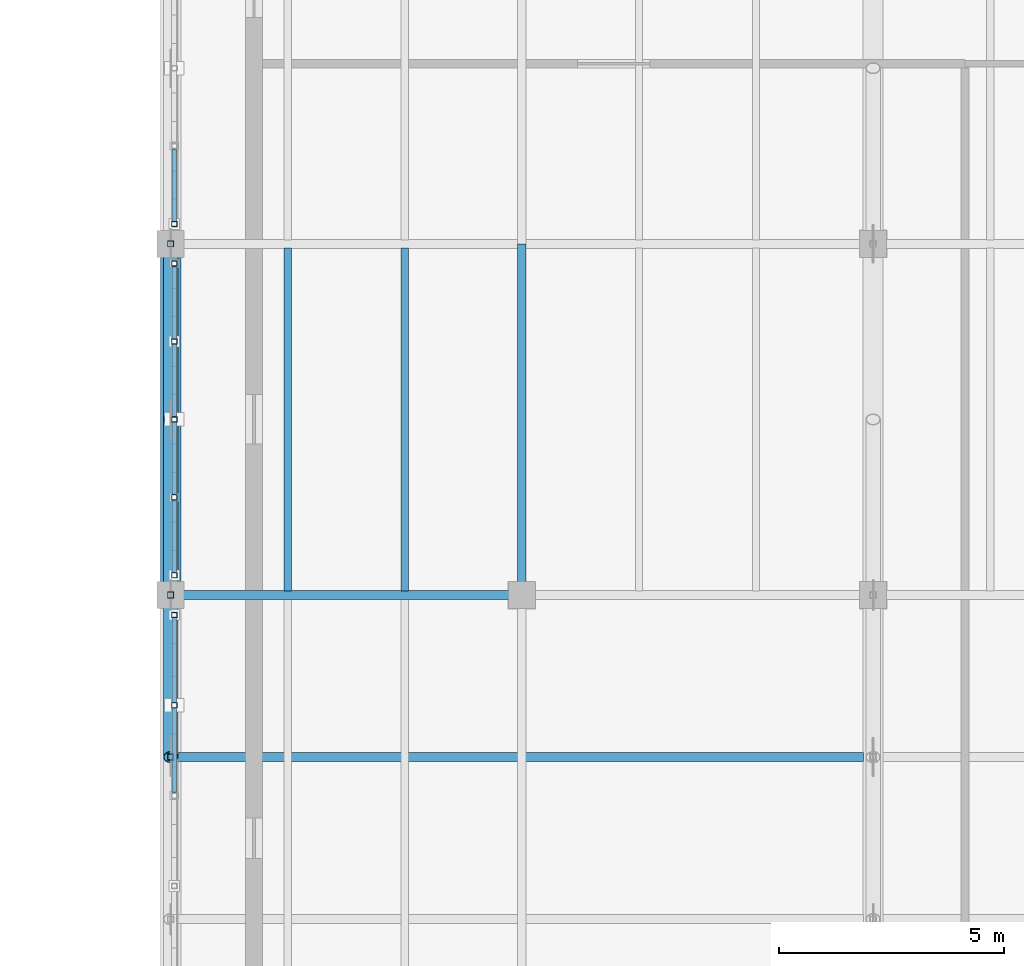
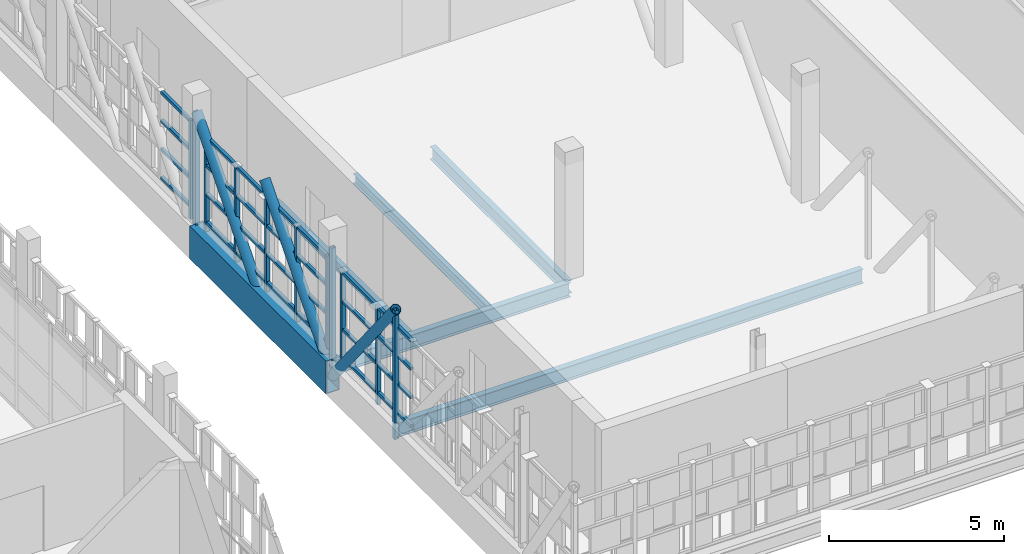
# One storey, part 25 of 119: 42 members, 6 beams.
"""IFC4 building model written with IfcOpenShell, lengths in metres."""

from ifc_helpers import new_model, si_unit, direction, frame, origin, origin_2d, place, context, subcontext, project, spatial, hollow_rectangle, hollow_circle, i_section, extrude, material, material_profile, profile_set, type_object, element, save


model = new_model("IFC4")

# Units and contexts
model_context = context("Model", 3, precision=1e-05, world=origin(), true_north=direction((0.0, 1.0)))
body_context = subcontext(model_context, "Body", "Model", "MODEL_VIEW")
ifc_project = project(units=[si_unit("LENGTHUNIT", "METRE"), si_unit("AREAUNIT", "SQUARE_METRE"), si_unit("VOLUMEUNIT", "CUBIC_METRE"), si_unit("PLANEANGLEUNIT", "RADIAN"), si_unit("MASSUNIT", "GRAM", prefix="KILO")], contexts=[model_context])

# Site, building, storey
site_placement = place(None, origin())
site = spatial("IfcSite", under=ifc_project, at=site_placement, CompositionType="ELEMENT")
building_placement = place(site_placement, origin())
building = spatial("IfcBuilding", under=site, at=building_placement, Name="Celorna Specialist Clinic", CompositionType="ELEMENT")
storey_placement = place(building_placement, frame((0.0, 0.0, 9.60009765625)))
storey = spatial("IfcBuildingStorey", under=building, at=storey_placement, Name="L02", CompositionType="ELEMENT", Elevation=9.60009765625)

# Beams
ifc_material = material(Name="Steel S355", Category="steel")
ifc_material_profile_1 = material_profile(ifc_material, hollow_rectangle(XDim=0.449951171875, YDim=1.14990234375, WallThickness=0.031982421875, at=origin_2d()), Name="BOX 450x1150x32")
ifc_profile_set_1 = profile_set([ifc_material_profile_1], Name="Steel S355")
beam_type_1 = type_object("IfcBeamType", Name="BM-01", PredefinedType="BEAM", material=ifc_profile_set_1)
beam_1_placement = place(storey_placement, frame((54.60009765625, 19.5, -0.835205078125), z_axis=(0.0, 1.0, 0.0), x_axis=(-1.0, 0.0, 0.0)))
element("IfcBeam", 1, at=beam_1_placement, inside=storey, type_object=beam_type_1, Name="Cantilever Pratt truss chord WP-002-WP-003", PredefinedType="BEAM", context=body_context, shape_type="SweptSolid", body=[
    extrude(hollow_rectangle(XDim=0.449951171875, YDim=1.14990234375, WallThickness=0.031982421875, at=origin_2d()), origin(), (0.0, 0.0, 1.0), 7.800048828125),
])
ifc_material_profile_2 = material_profile(ifc_material, i_section(OverallWidth=0.199951171875, OverallDepth=0.5, WebThickness=0.01025390625, FlangeThickness=0.01611328125, at=origin_2d()), Name="IPE 500")
ifc_profile_set_2 = profile_set([ifc_material_profile_2], Name="Steel S355")
beam_type_2 = type_object("IfcBeamType", Name="BM-08", PredefinedType="BEAM", material=ifc_profile_set_2)
beam_2_placement = place(storey_placement, frame((54.60009765625, 15.89990234375, -0.510009765625), z_axis=(1.0, 0.0, 0.0), x_axis=(0.0, 1.0, 0.0)))
element("IfcBeam", 2, at=beam_2_placement, inside=storey, type_object=beam_type_2, Name="Cantilever floor girder BM-08 #19", PredefinedType="BEAM", context=body_context, shape_type="SweptSolid", body=[
    extrude(i_section(OverallWidth=0.199951171875, OverallDepth=0.5, WebThickness=0.01025390625, FlangeThickness=0.01611328125, at=origin_2d()), origin(), (0.0, 0.0, 1.0), 15.385009765625),
])
beam_3_placement = place(storey_placement, frame((54.60009765625, 19.5, -0.510009765625), z_axis=(1.0, 0.0, 0.0), x_axis=(0.0, 1.0, 0.0)))
element("IfcBeam", 3, at=beam_3_placement, inside=storey, type_object=beam_type_2, Name="Primary girder BM-08 #2109", PredefinedType="BEAM", context=body_context, shape_type="SweptSolid", body=[
    extrude(i_section(OverallWidth=0.199951171875, OverallDepth=0.5, WebThickness=0.01025390625, FlangeThickness=0.01611328125, at=origin_2d()), origin(), (0.0, 0.0, 1.0), 7.7998046875),
])
ifc_material_profile_3 = material_profile(ifc_material, i_section(OverallWidth=0.18994140625, OverallDepth=0.449951171875, WebThickness=0.009521484375, FlangeThickness=0.0146484375, at=origin_2d()), Name="IPE 450")
ifc_profile_set_3 = profile_set([ifc_material_profile_3], Name="Steel S355")
beam_type_3 = type_object("IfcBeamType", Name="BM-09", PredefinedType="BEAM", material=ifc_profile_set_3)
beam_4_placement = place(storey_placement, frame((62.39990234375, 19.5, -0.485107421875), z_axis=(0.0, 1.0, 0.0), x_axis=(-1.0, 0.0, 0.0)))
element("IfcBeam", 4, at=beam_4_placement, inside=storey, type_object=beam_type_3, Name="Transverse girder BM-09 #2126", PredefinedType="BEAM", context=body_context, shape_type="SweptSolid", body=[
    extrude(i_section(OverallWidth=0.18994140625, OverallDepth=0.449951171875, WebThickness=0.009521484375, FlangeThickness=0.0146484375, at=origin_2d()), origin(), (0.0, 0.0, 1.0), 7.800048828125),
])
ifc_material_profile_4 = material_profile(ifc_material, i_section(OverallWidth=0.159912109375, OverallDepth=0.330078125, WebThickness=0.007568359375, FlangeThickness=0.011474609375, at=origin_2d()), Name="IPE 330")
ifc_profile_set_4 = profile_set([ifc_material_profile_4], Name="Steel S355")
beam_type_4 = type_object("IfcBeamType", Name="BM-12", PredefinedType="JOIST", material=ifc_profile_set_4)
for number, where, z_axis, x_axis, name in (
    (5, (57.199951171875, 19.587890625, -0.425048828125), (0.0, 1.0, 0.0), (-1.0, 0.0, 0.0), "Secondary floor joist BM-12 #2136"),
    (6, (59.800048828125, 19.587890625, -0.425048828125), (0.0, 1.0, 0.0), (-1.0, 0.0, 0.0), "Secondary floor joist BM-12 #2137"),
):
    element("IfcBeam", number, at=place(storey_placement, frame(where, z_axis=z_axis, x_axis=x_axis)), inside=storey, type_object=beam_type_4, Name=name, PredefinedType="JOIST", context=body_context, shape_type="SweptSolid", body=[
        extrude(i_section(OverallWidth=0.159912109375, OverallDepth=0.330078125, WebThickness=0.007568359375, FlangeThickness=0.011474609375, at=origin_2d()), origin(), (0.0, 0.0, 1.0), 7.6240234375),
    ])

# Members
ifc_material_profile_5 = material_profile(ifc_material, hollow_circle(Radius=0.161865234375, WallThickness=0.01611328125, at=origin_2d()), Name="CHS 323.9x16")
ifc_profile_set_5 = profile_set([ifc_material_profile_5], Name="Steel S355")
member_type_1 = type_object("IfcMemberType", Name="MB-05", PredefinedType="BRACE", material=ifc_profile_set_5)
member_placement = place(storey_placement, frame((54.60009765625, 15.89990234375, 3.664794921875), z_axis=(0.0, 0.624705380279, -0.780860543151), x_axis=(-1.0, 0.0, 0.0)))
element("IfcMember", 7, at=member_placement, inside=storey, type_object=member_type_1, Name="Cantilever Pratt truss web diagonal WP-021-WP-002", PredefinedType="BRACE", context=body_context, shape_type="SweptSolid", body=[
    extrude(hollow_circle(Radius=0.161865234375, WallThickness=0.01611328125, at=origin_2d()), origin(), (0.0, 0.0, 1.0), 5.762939453125),
])
for number, where, z_axis, x_axis, name in (
    (8, (54.60009765625, 19.5, -0.835205078125), (0.0, 0.654921173069, 0.755697199324), (-1.0, 0.0, 0.0), "Cantilever Pratt truss web diagonal WP-002-WP-022"),
    (9, (54.60009765625, 23.39990234375, -0.835205078125), (0.0, 0.654944585876, 0.755676908098), (-1.0, 0.0, 0.0), "Cantilever Pratt truss web diagonal WP-023-WP-008"),
):
    element("IfcMember", number, at=place(storey_placement, frame(where, z_axis=z_axis, x_axis=x_axis)), inside=storey, type_object=member_type_1, Name=name, PredefinedType="BRACE", context=body_context, shape_type="SweptSolid", body=[
        extrude(hollow_circle(Radius=0.161865234375, WallThickness=0.01611328125, at=origin_2d()), origin(), (0.0, 0.0, 1.0), 5.954833984375),
    ])
ifc_material_profile_6 = material_profile(ifc_material, hollow_rectangle(XDim=0.139892578125, YDim=0.139892578125, WallThickness=0.008056640625, at=origin_2d()), Name="SHS 140x140x8")
ifc_profile_set_6 = profile_set([ifc_material_profile_6], Name="Steel S355")
member_type_2 = type_object("IfcMemberType", Name="MB-10", PredefinedType="CHORD", material=ifc_profile_set_6)
for number, where, z_axis, x_axis, name in (
    (10, (54.60009765625, 15.89990234375, -0.835205078125), (0.0, 0.0, 1.0), (1.0, 0.0, 0.0), "Cantilever Pratt truss vertical post WP-020-WP-021"),
    (11, (54.60009765625, 19.5, -0.835205078125), (0.0, 0.0, 1.0), (1.0, 0.0, 0.0), "Cantilever Pratt truss vertical post WP-002-WP-007"),
    (12, (54.60009765625, 27.300048828125, -0.835205078125), (0.0, 0.0, 1.0), (1.0, 0.0, 0.0), "Cantilever Pratt truss vertical post WP-003-WP-008"),
):
    element("IfcMember", number, at=place(storey_placement, frame(where, z_axis=z_axis, x_axis=x_axis)), inside=storey, type_object=member_type_2, Name=name, PredefinedType="CHORD", context=body_context, shape_type="SweptSolid", body=[
        extrude(hollow_rectangle(XDim=0.139892578125, YDim=0.139892578125, WallThickness=0.008056640625, at=origin_2d()), origin(), (0.0, 0.0, 1.0), 4.5),
    ])
ifc_material_profile_7 = material_profile(ifc_material, hollow_rectangle(XDim=0.1201171875, YDim=0.1201171875, WallThickness=0.008056640625, at=origin_2d()), Name="SHS 120x120x8")
ifc_profile_set_7 = profile_set([ifc_material_profile_7], Name="Steel S355")
member_type_3 = type_object("IfcMemberType", Name="MB-11", PredefinedType="STUD", material=ifc_profile_set_7)
for number, where, z_axis, x_axis, name in (
    (13, (54.679931640625, 17.052001953125, -0.360107421875), (0.0, 0.0, 1.0), (1.0, 0.0, 0.0), "Perforated screen steel post #172"),
    (14, (54.679931640625, 19.06005859375, -0.360107421875), (0.0, 0.0, 1.0), (1.0, 0.0, 0.0), "Perforated screen steel post #173"),
    (15, (54.679931640625, 19.93994140625, -0.360107421875), (0.0, 0.0, 1.0), (1.0, 0.0, 0.0), "Perforated screen steel post #194"),
    (16, (54.679931640625, 21.669921875, -0.360107421875), (0.0, 0.0, 1.0), (1.0, 0.0, 0.0), "Perforated screen steel post #195"),
    (17, (54.679931640625, 23.39990234375, -0.360107421875), (0.0, 0.0, 1.0), (1.0, 0.0, 0.0), "Perforated screen steel post #196"),
    (18, (54.679931640625, 25.1298828125, -0.360107421875), (0.0, 0.0, 1.0), (1.0, 0.0, 0.0), "Perforated screen steel post #197"),
    (19, (54.679931640625, 26.860107421875, -0.360107421875), (0.0, 0.0, 1.0), (1.0, 0.0, 0.0), "Perforated screen steel post #198"),
    (20, (54.679931640625, 27.739990234375, -0.360107421875), (0.0, 0.0, 1.0), (1.0, 0.0, 0.0), "Perforated screen steel post #215"),
):
    element("IfcMember", number, at=place(storey_placement, frame(where, z_axis=z_axis, x_axis=x_axis)), inside=storey, type_object=member_type_3, Name=name, PredefinedType="STUD", context=body_context, shape_type="SweptSolid", body=[
        extrude(hollow_rectangle(XDim=0.1201171875, YDim=0.1201171875, WallThickness=0.008056640625, at=origin_2d()), origin(), (0.0, 0.0, 1.0), 3.43994140625),
    ])
ifc_material_profile_8 = material_profile(ifc_material, hollow_rectangle(XDim=0.10009765625, YDim=0.10009765625, WallThickness=0.006103515625, at=origin_2d()), Name="SHS 100x100x6")
ifc_profile_set_8 = profile_set([ifc_material_profile_8], Name="Steel S355")
member_type_4 = type_object("IfcMemberType", Name="MB-12", PredefinedType="STUD", material=ifc_profile_set_8)
for number, where, z_axis, x_axis, name in (
    (21, (54.679931640625, 15.10400390625, 0.0498046875), (0.0, 1.0, 0.0), (-1.0, 0.0, 0.0), "Perforated screen rail #186"),
    (22, (54.679931640625, 15.10400390625, 1.043212890625), (0.0, 1.0, 0.0), (-1.0, 0.0, 0.0), "Perforated screen rail #187"),
    (23, (54.679931640625, 15.10400390625, 2.03662109375), (0.0, 1.0, 0.0), (-1.0, 0.0, 0.0), "Perforated screen rail #188"),
    (24, (54.679931640625, 15.10400390625, 3.02978515625), (0.0, 1.0, 0.0), (-1.0, 0.0, 0.0), "Perforated screen rail #189"),
    (25, (54.679931640625, 17.112060546875, 0.0498046875), (0.0, 1.0, 0.0), (-1.0, 0.0, 0.0), "Perforated screen rail #190"),
    (26, (54.679931640625, 17.112060546875, 1.043212890625), (0.0, 1.0, 0.0), (-1.0, 0.0, 0.0), "Perforated screen rail #191"),
    (27, (54.679931640625, 17.112060546875, 2.03662109375), (0.0, 1.0, 0.0), (-1.0, 0.0, 0.0), "Perforated screen rail #192"),
    (28, (54.679931640625, 17.112060546875, 3.02978515625), (0.0, 1.0, 0.0), (-1.0, 0.0, 0.0), "Perforated screen rail #193"),
):
    element("IfcMember", number, at=place(storey_placement, frame(where, z_axis=z_axis, x_axis=x_axis)), inside=storey, type_object=member_type_4, Name=name, PredefinedType="STUD", context=body_context, shape_type="SweptSolid", body=[
        extrude(hollow_rectangle(XDim=0.10009765625, YDim=0.10009765625, WallThickness=0.006103515625, at=origin_2d()), origin(), (0.0, 0.0, 1.0), 1.887939453125),
    ])
for number, where, z_axis, x_axis, name in (
    (29, (54.679931640625, 20.0, 0.0498046875), (0.0, 1.0, 0.0), (-1.0, 0.0, 0.0), "Perforated screen rail #199"),
    (30, (54.679931640625, 20.0, 1.043212890625), (0.0, 1.0, 0.0), (-1.0, 0.0, 0.0), "Perforated screen rail #200"),
    (31, (54.679931640625, 20.0, 2.03662109375), (0.0, 1.0, 0.0), (-1.0, 0.0, 0.0), "Perforated screen rail #201"),
    (32, (54.679931640625, 20.0, 3.02978515625), (0.0, 1.0, 0.0), (-1.0, 0.0, 0.0), "Perforated screen rail #202"),
    (33, (54.679931640625, 21.72998046875, 0.0498046875), (0.0, 1.0, 0.0), (-1.0, 0.0, 0.0), "Perforated screen rail #203"),
    (34, (54.679931640625, 21.72998046875, 1.043212890625), (0.0, 1.0, 0.0), (-1.0, 0.0, 0.0), "Perforated screen rail #204"),
    (35, (54.679931640625, 21.72998046875, 2.03662109375), (0.0, 1.0, 0.0), (-1.0, 0.0, 0.0), "Perforated screen rail #205"),
    (36, (54.679931640625, 21.72998046875, 3.02978515625), (0.0, 1.0, 0.0), (-1.0, 0.0, 0.0), "Perforated screen rail #206"),
    (37, (54.679931640625, 23.4599609375, 0.0498046875), (0.0, 1.0, 0.0), (-1.0, 0.0, 0.0), "Perforated screen rail #207"),
    (38, (54.679931640625, 23.4599609375, 1.043212890625), (0.0, 1.0, 0.0), (-1.0, 0.0, 0.0), "Perforated screen rail #208"),
    (39, (54.679931640625, 23.4599609375, 2.03662109375), (0.0, 1.0, 0.0), (-1.0, 0.0, 0.0), "Perforated screen rail #209"),
    (40, (54.679931640625, 23.4599609375, 3.02978515625), (0.0, 1.0, 0.0), (-1.0, 0.0, 0.0), "Perforated screen rail #210"),
    (41, (54.679931640625, 25.18994140625, 0.0498046875), (0.0, 1.0, 0.0), (-1.0, 0.0, 0.0), "Perforated screen rail #211"),
    (42, (54.679931640625, 25.18994140625, 1.043212890625), (0.0, 1.0, 0.0), (-1.0, 0.0, 0.0), "Perforated screen rail #212"),
    (43, (54.679931640625, 25.18994140625, 2.03662109375), (0.0, 1.0, 0.0), (-1.0, 0.0, 0.0), "Perforated screen rail #213"),
    (44, (54.679931640625, 25.18994140625, 3.02978515625), (0.0, 1.0, 0.0), (-1.0, 0.0, 0.0), "Perforated screen rail #214"),
):
    element("IfcMember", number, at=place(storey_placement, frame(where, z_axis=z_axis, x_axis=x_axis)), inside=storey, type_object=member_type_4, Name=name, PredefinedType="STUD", context=body_context, shape_type="SweptSolid", body=[
        extrude(hollow_rectangle(XDim=0.10009765625, YDim=0.10009765625, WallThickness=0.006103515625, at=origin_2d()), origin(), (0.0, 0.0, 1.0), 1.610107421875),
    ])
for number, where, z_axis, x_axis, name in (
    (45, (54.679931640625, 27.800048828125, 0.0498046875), (0.0, 1.0, 0.0), (-1.0, 0.0, 0.0), "Perforated screen rail #220"),
    (46, (54.679931640625, 27.800048828125, 1.043212890625), (0.0, 1.0, 0.0), (-1.0, 0.0, 0.0), "Perforated screen rail #221"),
    (47, (54.679931640625, 27.800048828125, 2.03662109375), (0.0, 1.0, 0.0), (-1.0, 0.0, 0.0), "Perforated screen rail #222"),
    (48, (54.679931640625, 27.800048828125, 3.02978515625), (0.0, 1.0, 0.0), (-1.0, 0.0, 0.0), "Perforated screen rail #223"),
):
    element("IfcMember", number, at=place(storey_placement, frame(where, z_axis=z_axis, x_axis=x_axis)), inside=storey, type_object=member_type_4, Name=name, PredefinedType="STUD", context=body_context, shape_type="SweptSolid", body=[
        extrude(hollow_rectangle(XDim=0.10009765625, YDim=0.10009765625, WallThickness=0.006103515625, at=origin_2d()), origin(), (0.0, 0.0, 1.0), 1.60986328125),
    ])

save(model, "model.ifc")
